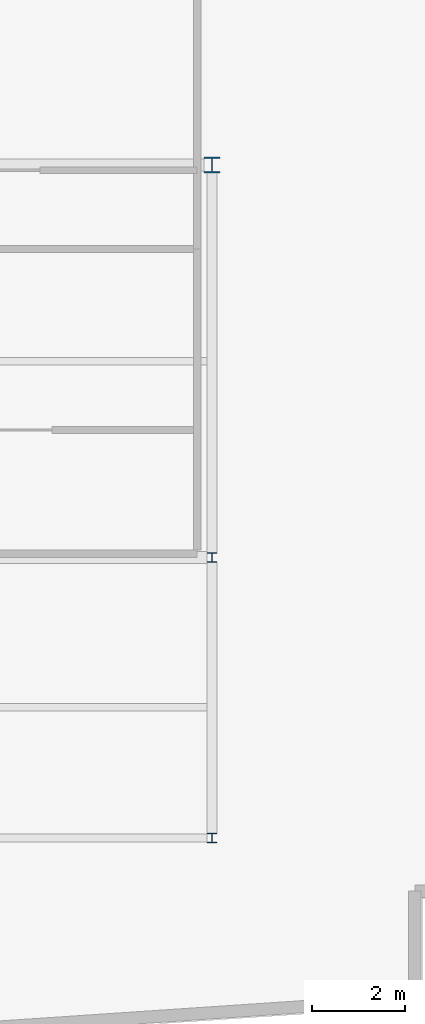
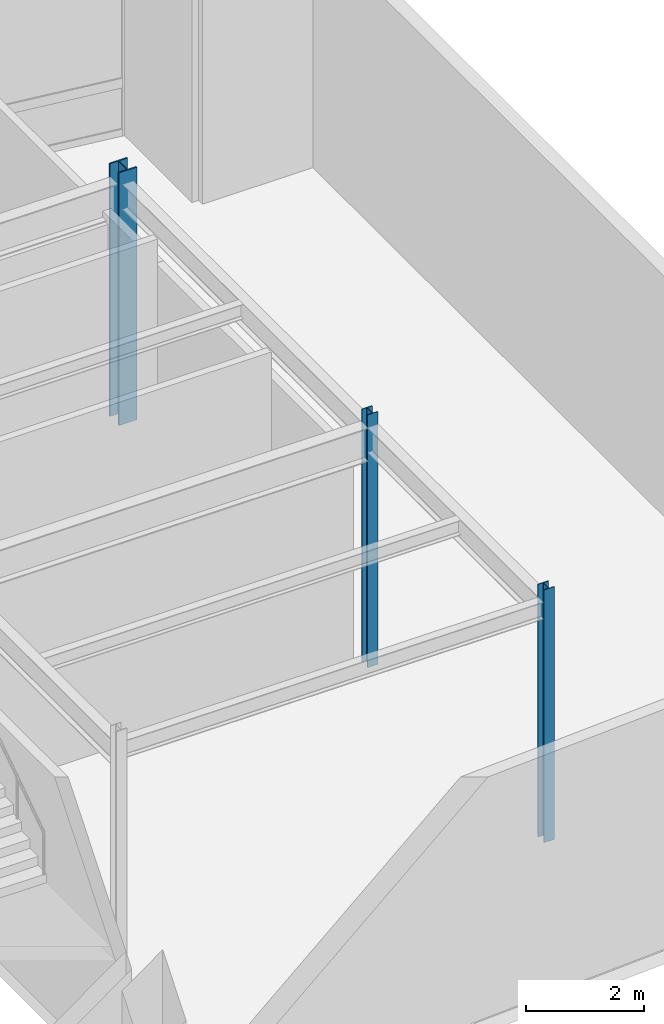
# One storey, part 3 of 14: 3 columns.
"""IFC4 building model written with IfcOpenShell, lengths in metres."""

from ifc_helpers import new_model, si_unit, direction, frame, origin, origin_2d, place, context, subcontext, project, spatial, i_section, extrude, material, material_profile, profile_set, type_object, element, save


model = new_model("IFC4")

# Units and contexts
model_context = context("Model", 3, precision=1e-05, world=origin(), true_north=direction((0.0, 1.0)))
body_context = subcontext(model_context, "Body", "Model", "MODEL_VIEW")
ifc_project = project(units=[si_unit("LENGTHUNIT", "METRE"), si_unit("AREAUNIT", "SQUARE_METRE"), si_unit("VOLUMEUNIT", "CUBIC_METRE"), si_unit("PLANEANGLEUNIT", "RADIAN"), si_unit("MASSUNIT", "GRAM", prefix="KILO")], contexts=[model_context])

# Site, building, storey
site_placement = place(None, origin())
site = spatial("IfcSite", under=ifc_project, at=site_placement, CompositionType="ELEMENT")
building_placement = place(site_placement, origin())
building = spatial("IfcBuilding", under=site, at=building_placement, Name="Varnakote Quay Hospital", CompositionType="ELEMENT")
storey_placement = place(building_placement, frame((0.0, 0.0, 303.949951171875)))
storey = spatial("IfcBuildingStorey", under=building, at=storey_placement, Name="L75", CompositionType="ELEMENT", Elevation=303.949951171875)

# Columns
ifc_material_1 = material(Name="Structural steel AS/NZS 3679.1 Grade 350 L0 (fy 340 MPa)", Category="steel")
ifc_material_profile_1 = material_profile(ifc_material_1, i_section(OverallWidth=0.205078125, OverallDepth=0.2099609375, WebThickness=0.00927734375, FlangeThickness=0.01416015625, FilletRadius=0.011474609375, at=origin_2d()), Name="200UC59.5")
ifc_profile_set_1 = profile_set([ifc_material_profile_1], Name="Structural steel AS/NZS 3679.1 Grade 350 L0 (fy 340 MPa)")
column_type_1 = type_object("IfcColumnType", Name="COL-STL-200UC59-5", PredefinedType="COLUMN", material=ifc_profile_set_1)
for number, where, z_axis, x_axis, name in (
    (1, (33.60009765625, 6.0, 0.0), (0.0, 0.0, 1.0), (1.0, 0.0, 0.0), "L75 Structural Column C-34-6"),
    (2, (33.60009765625, 12.0, 0.0), (0.0, 0.0, 1.0), (1.0, 0.0, 0.0), "L75 Structural Column C-34-12"),
):
    element("IfcColumn", number, at=place(storey_placement, frame(where, z_axis=z_axis, x_axis=x_axis)), inside=storey, type_object=column_type_1, Name=name, PredefinedType="COLUMN", context=body_context, shape_type="SweptSolid", body=[
        extrude(i_section(OverallWidth=0.205078125, OverallDepth=0.2099609375, WebThickness=0.00927734375, FlangeThickness=0.01416015625, FilletRadius=0.011474609375, at=origin_2d()), origin(), (0.0, 0.0, 1.0), 5.25),
    ])
ifc_material_2 = material(Name="Structural steel AS/NZS 3678 Grade 350 (fy 340 MPa)", Category="steel")
ifc_material_profile_2 = material_profile(ifc_material_2, i_section(OverallWidth=0.35009765625, OverallDepth=0.340087890625, WebThickness=0.01611328125, FlangeThickness=0.028076171875, at=origin_2d()), Name="350WC197")
ifc_profile_set_2 = profile_set([ifc_material_profile_2], Name="Structural steel AS/NZS 3678 Grade 350 (fy 340 MPa)")
column_type_2 = type_object("IfcColumnType", Name="COL-STL-350WC197", PredefinedType="COLUMN", material=ifc_profile_set_2)
column_placement = place(storey_placement, frame((33.60009765625, 20.39990234375, 0.0), z_axis=(0.0, 0.0, 1.0), x_axis=(1.0, 0.0, 0.0)))
element("IfcColumn", 3, at=column_placement, inside=storey, type_object=column_type_2, Name="L75 Structural Column C-34-20", PredefinedType="COLUMN", context=body_context, shape_type="SweptSolid", body=[
    extrude(i_section(OverallWidth=0.35009765625, OverallDepth=0.340087890625, WebThickness=0.01611328125, FlangeThickness=0.028076171875, at=origin_2d()), origin(), (0.0, 0.0, 1.0), 5.25),
])

save(model, "model.ifc")
